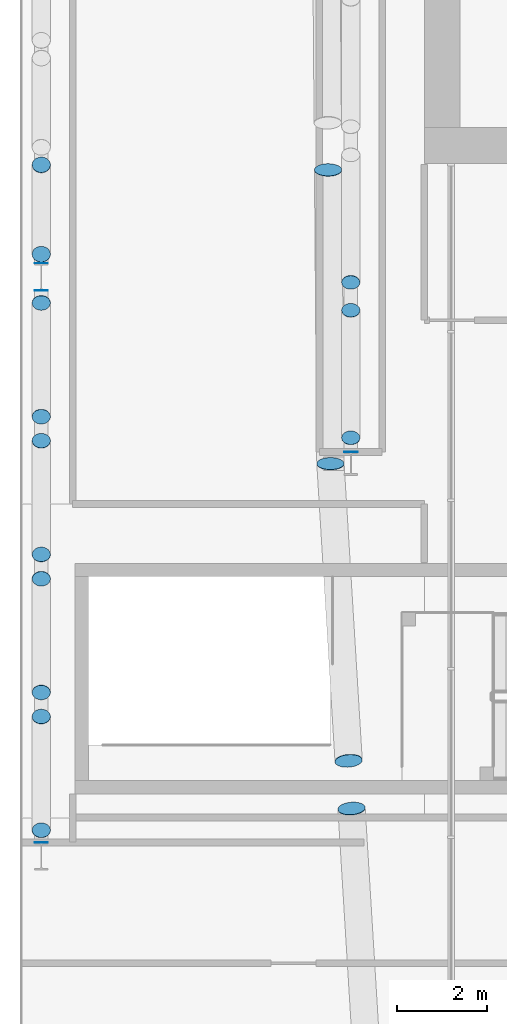
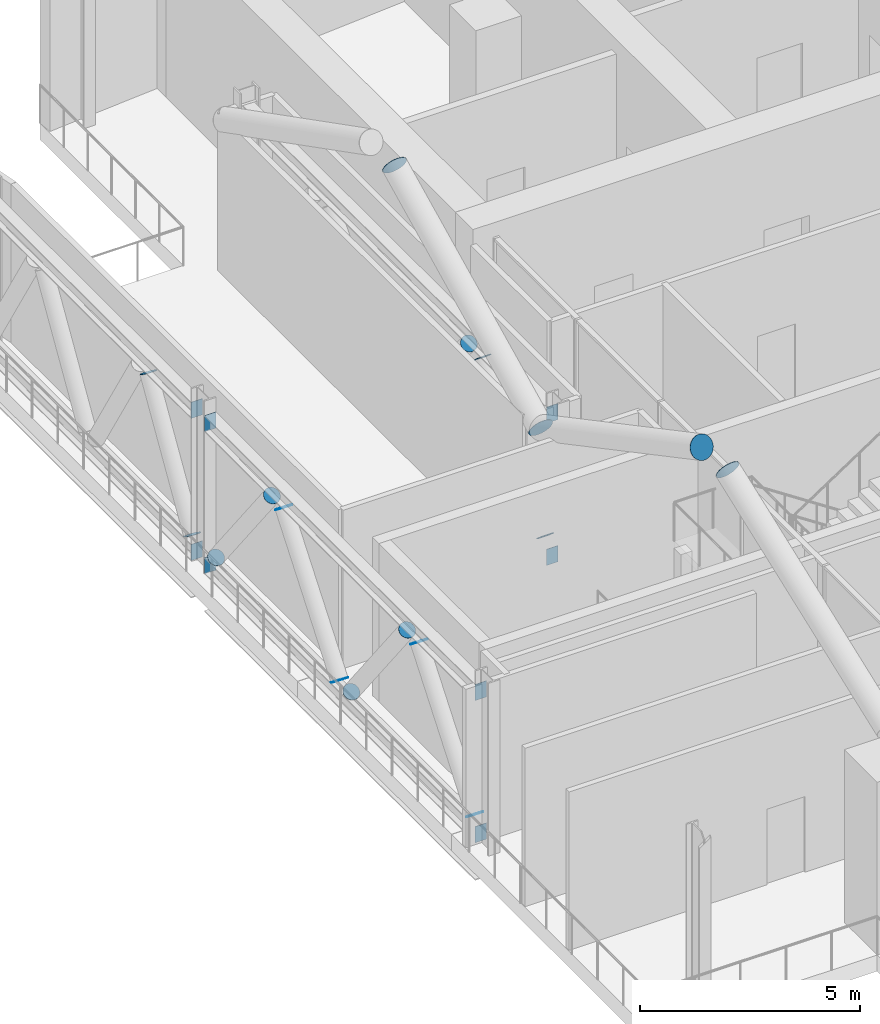
# One storey, part 22 of 35: 25 discrete accessories.
"""IFC4 building model written with IfcOpenShell, lengths in metres."""

from ifc_helpers import new_model, si_unit, direction, frame, origin, origin_2d, place, context, subcontext, project, spatial, rectangle, circle, extrude, material, material_profile, profile_set, type_object, element, save


model = new_model("IFC4")

# Units and contexts
model_context = context("Model", 3, precision=1e-05, world=origin(), true_north=direction((0.0, 1.0)))
body_context = subcontext(model_context, "Body", "Model", "MODEL_VIEW")
ifc_project = project(units=[si_unit("LENGTHUNIT", "METRE"), si_unit("AREAUNIT", "SQUARE_METRE"), si_unit("VOLUMEUNIT", "CUBIC_METRE"), si_unit("PLANEANGLEUNIT", "RADIAN"), si_unit("MASSUNIT", "GRAM", prefix="KILO")], contexts=[model_context])

# Site, building, storey
site_placement = place(None, origin())
site = spatial("IfcSite", under=ifc_project, at=site_placement, CompositionType="ELEMENT")
building_placement = place(site_placement, origin())
building = spatial("IfcBuilding", under=site, at=building_placement, Name="Wharfspan Tower", CompositionType="ELEMENT")
storey_placement = place(building_placement, frame((0.0, 0.0, 202.300049)))
storey = spatial("IfcBuildingStorey", under=building, at=storey_placement, Name="L50", CompositionType="ELEMENT", Elevation=202.300049)

# Discrete accessories
ifc_material_1 = material(Name="Steel S460NH", Category="steel")
ifc_material_profile_1 = material_profile(ifc_material_1, circle(Radius=0.203125, at=origin_2d()))
ifc_profile_set_1 = profile_set([ifc_material_profile_1], Name="Steel S460NH")
discrete_accessory_type_1 = type_object("IfcDiscreteAccessoryType", Name="End plate CHS 406x16", PredefinedType="BRACKET", material=ifc_profile_set_1)
for number, where, z_axis, x_axis, name in (
    (1, (14.359131, 31.349365, 3.815918), (0.0, -0.668965, 0.743294), (1.0, 0.0, 0.0), "End plate CHS 406x16"),
    (2, (14.359375, 30.724609, 3.823242), (0.0, -0.668965, -0.743294), (1.0, 0.0, 0.0), "End plate CHS 406x16"),
    (3, (14.359863, 27.877686, 0.583984), (0.0, -0.668965, -0.743294), (1.0, 0.0, 0.0), "End plate CHS 406x16"),
):
    element("IfcDiscreteAccessory", number, at=place(storey_placement, frame(where, z_axis=z_axis, x_axis=x_axis)), inside=storey, type_object=discrete_accessory_type_1, Name=name, PredefinedType="BRACKET", context=body_context, shape_type="SweptSolid", body=[
        extrude(circle(Radius=0.203125, at=origin_2d()), origin(), (0.0, 0.0, 1.0), 0.009766),
    ])
for number, where, z_axis, x_axis, name in (
    (4, (7.450195, 33.968994, 3.853516), (0.0, -0.532172, -0.846637), (1.0, 0.0, 0.0), "End plate CHS 406x16"),
    (5, (7.449951, 31.976074, 0.554932), (0.0, -0.514496, -0.857493), (1.0, 0.0, 0.0), "End plate CHS 406x16"),
    (6, (7.449951, 30.890137, 0.566895), (0.0, -0.603858, 0.797092), (1.0, 0.0, 0.0), "End plate CHS 406x16"),
    (7, (7.449951, 28.351074, 3.824951), (0.0, -0.603858, 0.797092), (1.0, 0.0, 0.0), "End plate CHS 406x16"),
    (8, (7.449951, 27.811768, 3.833008), (0.0, -0.603858, -0.797092), (1.0, 0.0, 0.0), "End plate CHS 406x16"),
    (9, (7.449951, 25.272705, 0.574951), (0.0, -0.603858, -0.797092), (1.0, 0.0, 0.0), "End plate CHS 406x16"),
    (10, (7.449951, 24.733398, 0.566895), (0.0, -0.603858, 0.797092), (1.0, 0.0, 0.0), "End plate CHS 406x16"),
    (11, (7.449951, 22.194336, 3.824951), (0.0, -0.603858, 0.797092), (1.0, 0.0, 0.0), "End plate CHS 406x16"),
    (12, (7.449951, 21.655029, 3.833008), (0.0, -0.603858, -0.797092), (1.0, 0.0, 0.0), "End plate CHS 406x16"),
    (13, (7.449951, 19.115967, 0.574951), (0.0, -0.603858, -0.797092), (1.0, 0.0, 0.0), "End plate CHS 406x16"),
):
    element("IfcDiscreteAccessory", number, at=place(storey_placement, frame(where, z_axis=z_axis, x_axis=x_axis)), inside=storey, type_object=discrete_accessory_type_1, Name=name, PredefinedType="BRACKET", context=body_context, shape_type="SweptSolid", body=[
        extrude(circle(Radius=0.203125, at=origin_2d()), origin(), (0.0, 0.0, 1.0), 0.01001),
    ])
ifc_material_profile_2 = material_profile(ifc_material_1, circle(Radius=0.304932, at=origin_2d()))
ifc_profile_set_2 = profile_set([ifc_material_profile_2], Name="Steel S460NH")
discrete_accessory_type_2 = type_object("IfcDiscreteAccessoryType", Name="End plate CHS 610x25", PredefinedType="BRACKET", material=ifc_profile_set_2)
discrete_accessory_1_placement = place(storey_placement, frame((13.905029, 27.291016, 4.095459), z_axis=(0.0, 0.899235, 0.437466), x_axis=(-1.0, 0.0, 0.0)))
element("IfcDiscreteAccessory", 14, at=discrete_accessory_1_placement, inside=storey, type_object=discrete_accessory_type_2, Name="End plate CHS 610x25", PredefinedType="BRACKET", context=body_context, shape_type="SweptSolid", body=[
    extrude(circle(Radius=0.304932, at=origin_2d()), origin(), (0.0, 0.0, 1.0), 0.01001),
])
discrete_accessory_2_placement = place(storey_placement, frame((13.853271, 33.849121, 7.430176), z_axis=(0.0, 0.894427, 0.447214), x_axis=(-1.0, 0.0, 0.0)))
element("IfcDiscreteAccessory", 15, at=discrete_accessory_2_placement, inside=storey, type_object=discrete_accessory_type_2, Name="End plate CHS 610x25", PredefinedType="BRACKET", context=body_context, shape_type="SweptSolid", body=[
    extrude(circle(Radius=0.304932, at=origin_2d()), origin(), (0.0, 0.0, 1.0), 0.009766),
])
for number, where, z_axis, x_axis, name in (
    (16, (14.310791, 20.670654, 7.429199), (0.07194, -0.887262, 0.455621), (0.996733, 0.080816, 0.0), "End plate CHS 610x25"),
    (17, (14.376953, 19.592773, 7.429199), (-0.07194, 0.887262, 0.455621), (-0.996733, -0.080816, 0.0), "End plate CHS 610x25"),
):
    element("IfcDiscreteAccessory", number, at=place(storey_placement, frame(where, z_axis=z_axis, x_axis=x_axis)), inside=storey, type_object=discrete_accessory_type_2, Name=name, PredefinedType="BRACKET", context=body_context, shape_type="SweptSolid", body=[
        extrude(circle(Radius=0.304932, at=origin_2d()), origin(), (0.0, 0.0, 1.0), 0.010254),
    ])
ifc_material_2 = material(Name="Steel S355J2", Category="steel")
ifc_material_profile_3 = material_profile(ifc_material_2, rectangle(XDim=0.300049, YDim=0.449951, at=origin_2d()))
ifc_profile_set_3 = profile_set([ifc_material_profile_3], Name="Steel S355J2")
discrete_accessory_type_3 = type_object("IfcDiscreteAccessoryType", Name="End plate HEB 450", PredefinedType="BRACKET", material=ifc_profile_set_3)
for number, where, z_axis, x_axis, name in (
    (18, (14.359863, 27.562012, 4.175049), (0.0, -1.0, 0.0), (1.0, 0.0, 0.0), "End plate HEB 450"),
    (19, (14.359863, 27.562012, 0.224854), (0.0, -1.0, 0.0), (1.0, 0.0, 0.0), "End plate HEB 450"),
    (20, (7.449951, 31.776611, 4.175049), (0.0, -1.0, 0.0), (1.0, 0.0, 0.0), "End plate HEB 450"),
    (21, (7.449951, 31.776611, 0.224854), (0.0, -1.0, 0.0), (1.0, 0.0, 0.0), "End plate HEB 450"),
    (22, (7.449951, 31.166748, 4.175049), (0.0, -1.0, 0.0), (1.0, 0.0, 0.0), "End plate HEB 450"),
    (23, (7.449951, 18.843262, 4.175049), (0.0, -1.0, 0.0), (1.0, 0.0, 0.0), "End plate HEB 450"),
    (24, (7.449951, 31.166748, 0.224854), (0.0, -1.0, 0.0), (1.0, 0.0, 0.0), "End plate HEB 450"),
    (25, (7.449951, 18.843262, 0.224854), (0.0, -1.0, 0.0), (1.0, 0.0, 0.0), "End plate HEB 450"),
):
    element("IfcDiscreteAccessory", number, at=place(storey_placement, frame(where, z_axis=z_axis, x_axis=x_axis)), inside=storey, type_object=discrete_accessory_type_3, Name=name, PredefinedType="BRACKET", context=body_context, shape_type="SweptSolid", body=[
        extrude(rectangle(XDim=0.300049, YDim=0.449951, at=origin_2d()), origin(), (0.0, 0.0, 1.0), 0.01001),
    ])

save(model, "model.ifc")
